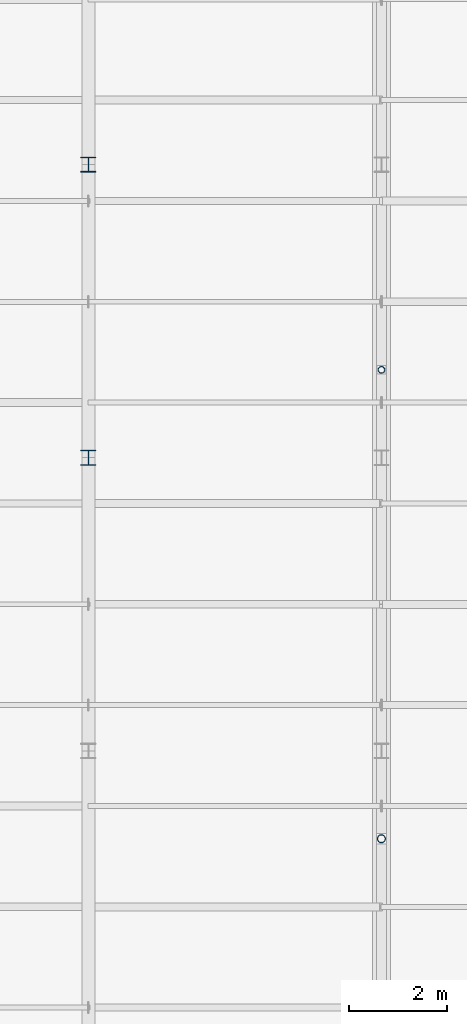
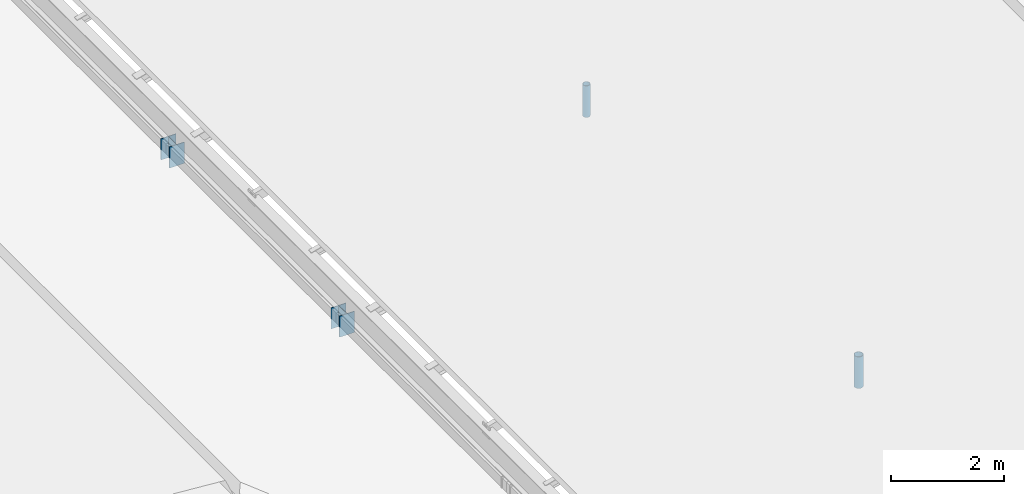
# One storey, part 30 of 74: 4 members.
"""IFC4 building model written with IfcOpenShell, lengths in metres."""

from ifc_helpers import new_model, si_unit, direction, frame, origin, origin_2d, place, context, subcontext, project, spatial, hollow_circle, i_section, extrude, material, material_profile, profile_set, type_object, element, save


model = new_model("IFC4")

# Units and contexts
model_context = context("Model", 3, precision=1e-05, world=origin(), true_north=direction((0.0, 1.0)))
body_context = subcontext(model_context, "Body", "Model", "MODEL_VIEW")
ifc_project = project(units=[si_unit("LENGTHUNIT", "METRE"), si_unit("AREAUNIT", "SQUARE_METRE"), si_unit("VOLUMEUNIT", "CUBIC_METRE"), si_unit("PLANEANGLEUNIT", "RADIAN"), si_unit("MASSUNIT", "GRAM", prefix="KILO")], contexts=[model_context])

# Site, building, storey
site_placement = place(None, origin())
site = spatial("IfcSite", under=ifc_project, at=site_placement, CompositionType="ELEMENT")
building_placement = place(site_placement, origin())
building = spatial("IfcBuilding", under=site, at=building_placement, Name="Siltcreek Boulevard Central Fire Station", CompositionType="ELEMENT")
storey_placement = place(building_placement, frame((0.0, 0.0, 25.199951171875)))
storey = spatial("IfcBuildingStorey", under=building, at=storey_placement, Name="RF", CompositionType="ELEMENT", Elevation=25.199951171875)

# Members
ifc_material_1 = material(Name="Structural steel ASTM A500 GrC", Category="steel")
ifc_material_profile_1 = material_profile(ifc_material_1, hollow_circle(Radius=0.06982421875, WallThickness=0.00634765625, at=origin_2d()), Name="HSS139.7X6.4")
ifc_profile_set_1 = profile_set([ifc_material_profile_1], Name="Structural steel ASTM A500 GrC")
member_type_1 = type_object("IfcMemberType", Name="BR_CHS139", PredefinedType="BRACE", material=ifc_profile_set_1)
member_1_placement = place(storey_placement, frame((90.0, 43.800048828125, -9.7607421875), z_axis=(0.0, 0.0, 1.0), x_axis=(1.0, 0.0, 0.0)))
element("IfcMember", 1, at=member_1_placement, inside=storey, type_object=member_type_1, Name="Roof truss web strut BR-047", PredefinedType="BRACE", context=body_context, shape_type="SweptSolid", body=[
    extrude(hollow_circle(Radius=0.06982421875, WallThickness=0.00634765625, at=origin_2d()), origin(), (0.0, 0.0, 1.0), 0.679931640625),
])
ifc_material_profile_2 = material_profile(ifc_material_1, hollow_circle(Radius=0.084228515625, WallThickness=0.007080078125, at=origin_2d()), Name="HSS168.3X7.1")
ifc_profile_set_2 = profile_set([ifc_material_profile_2], Name="Structural steel ASTM A500 GrC")
member_type_2 = type_object("IfcMemberType", Name="BR_CHS168", PredefinedType="BRACE", material=ifc_profile_set_2)
member_2_placement = place(storey_placement, frame((90.0, 34.199951171875, -9.7607421875), z_axis=(0.0, 0.0, 1.0), x_axis=(1.0, 0.0, 0.0)))
element("IfcMember", 2, at=member_2_placement, inside=storey, type_object=member_type_2, Name="Roof truss web strut BR-046", PredefinedType="BRACE", context=body_context, shape_type="SweptSolid", body=[
    extrude(hollow_circle(Radius=0.084228515625, WallThickness=0.007080078125, at=origin_2d()), origin(), (0.0, 0.0, 1.0), 0.679931640625),
])
ifc_material_2 = material(Name="Structural steel ASTM A992 Gr50", Category="steel")
ifc_material_profile_3 = material_profile(ifc_material_2, i_section(OverallWidth=0.304931640625, OverallDepth=0.30810546875, WebThickness=0.010009765625, FlangeThickness=0.015380859375, at=origin_2d()), Name="W310X97")
ifc_profile_set_3 = profile_set([ifc_material_profile_3], Name="Structural steel ASTM A992 Gr50")
member_type_3 = type_object("IfcMemberType", Name="CH_W310X97", PredefinedType="CHORD", material=ifc_profile_set_3)
for number, where, z_axis, x_axis, name in (
    (3, (84.0, 42.0, -11.199951171875), (0.0, 0.0, 1.0), (1.0, 0.0, 0.0), "Roof bearing truss post 0734"),
    (4, (84.0, 48.0, -11.199951171875), (0.0, 0.0, 1.0), (1.0, 0.0, 0.0), "Roof bearing truss post 0735"),
):
    element("IfcMember", number, at=place(storey_placement, frame(where, z_axis=z_axis, x_axis=x_axis)), inside=storey, type_object=member_type_3, Name=name, PredefinedType="CHORD", context=body_context, shape_type="SweptSolid", body=[
        extrude(i_section(OverallWidth=0.304931640625, OverallDepth=0.30810546875, WebThickness=0.010009765625, FlangeThickness=0.015380859375, at=origin_2d()), origin(), (0.0, 0.0, 1.0), 0.453125),
    ])

save(model, "model.ifc")
